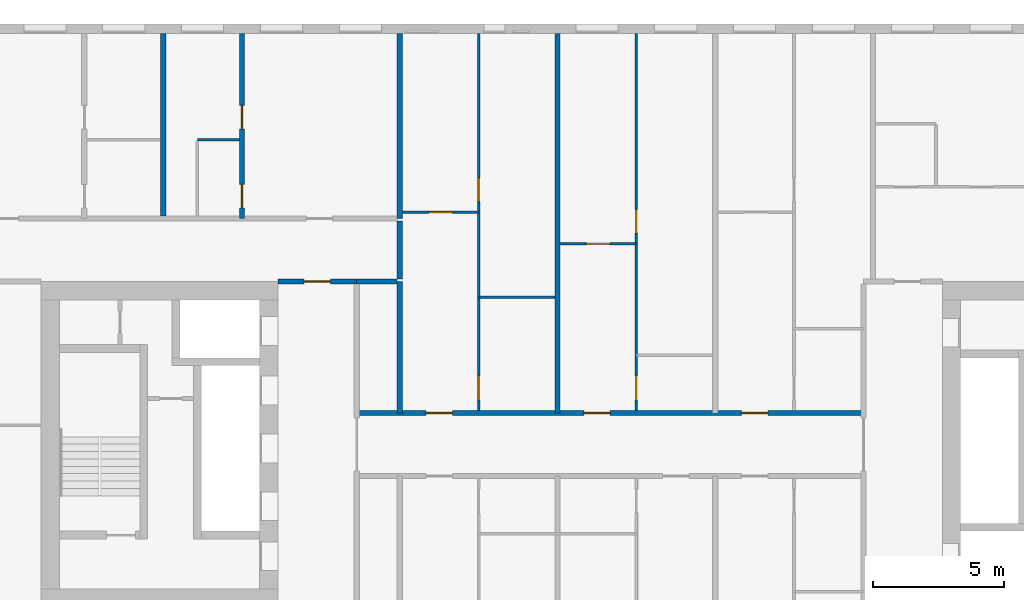
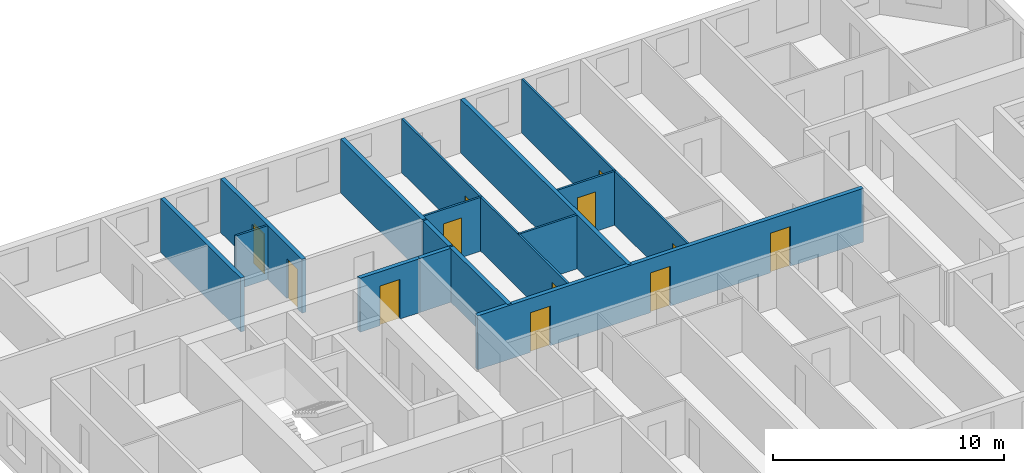
# One storey, part 5 of 16: 15 walls, 12 doors, 12 openings.
"""IFC4 building model written with IfcOpenShell, lengths in metres."""

from ifc_helpers import new_model, si_unit, direction, frame, frame_2d, origin, place, context, subcontext, project, spatial, rectangle, extrude, material, layer, layer_set, type_object, element, fill, save


model = new_model("IFC4")

# Units and contexts
model_context = context("Model", 3, precision=1e-05, world=origin(), true_north=direction((0.0, 1.0)))
body_context = subcontext(model_context, "Body", "Model", "MODEL_VIEW")
ifc_project = project(units=[si_unit("LENGTHUNIT", "METRE"), si_unit("AREAUNIT", "SQUARE_METRE"), si_unit("VOLUMEUNIT", "CUBIC_METRE"), si_unit("PLANEANGLEUNIT", "RADIAN"), si_unit("MASSUNIT", "GRAM", prefix="KILO")], contexts=[model_context])

# Site, building, storey
site_placement = place(None, origin())
site = spatial("IfcSite", under=ifc_project, at=site_placement, CompositionType="ELEMENT")
building_placement = place(site_placement, origin())
building = spatial("IfcBuilding", under=site, at=building_placement, Name="Tuart Gate Housing", CompositionType="ELEMENT")
storey_placement = place(building_placement, frame((0.0, 0.0, 87.10009765625)))
storey = spatial("IfcBuildingStorey", under=building, at=storey_placement, Name="L24", CompositionType="ELEMENT", Elevation=87.10009765625)

# Wall, openings, doors
ifc_material_1 = material(Name="Concrete masonry 15 MPa", Category="masonry")
ifc_layer_1 = layer(ifc_material_1, 0.199951171875)
ifc_layer_set_1 = layer_set([ifc_layer_1], Name="Corridor wall masonry 200")
wall_type_1 = type_object("IfcWallType", Name="Corridor wall masonry 200", PredefinedType="PARTITIONING", material=ifc_layer_set_1)
wall_1_placement = place(storey_placement, frame((44.360107421875, 71.199951171875, 0.0), z_axis=(0.0, 0.0, 1.0), x_axis=(1.0, 0.0, 0.0)))
wall_1 = element("IfcWall", 1, at=wall_1_placement, inside=storey, type_object=wall_type_1, Name="Corridor wall masonry 200", PredefinedType="PARTITIONING", context=body_context, shape_type="SweptSolid", body=[
    extrude(rectangle(XDim=19.27978515625, YDim=0.199951171875, at=frame_2d((9.639892578125, 0.0))), origin(), (0.0, 0.0, 1.0), 2.849853515625),
])
opening_1_placement = place(wall_1_placement, frame((14.639892578125, 0.0, 0.0)))
opening_1 = element("IfcOpeningElement", 2, at=opening_1_placement, cuts=wall_1, Name="Opening D976", PredefinedType="OPENING", context=body_context, shape_type="SweptSolid", body=[
    extrude(rectangle(XDim=1.0, YDim=2.10009765625, at=frame_2d((0.5, 1.050048828125))), frame((0.0, 0.10986328125, 0.0), z_axis=(0.0, -1.0, 0.0), x_axis=(1.0, 0.0, 0.0)), (0.0, 0.0, 1.0), 0.219970703125),
])
opening_2_placement = place(wall_1_placement, frame((8.639892578125, 0.0, 0.0)))
opening_2 = element("IfcOpeningElement", 3, at=opening_2_placement, cuts=wall_1, Name="Opening D977", PredefinedType="OPENING", context=body_context, shape_type="SweptSolid", body=[
    extrude(rectangle(XDim=1.0, YDim=2.10009765625, at=frame_2d((0.5, 1.050048828125))), frame((0.0, 0.10986328125, 0.0), z_axis=(0.0, -1.0, 0.0), x_axis=(1.0, 0.0, 0.0)), (0.0, 0.0, 1.0), 0.219970703125),
])
opening_3_placement = place(wall_1_placement, frame((2.639892578125, 0.0, 0.0)))
opening_3 = element("IfcOpeningElement", 4, at=opening_3_placement, cuts=wall_1, Name="Opening D978", PredefinedType="OPENING", context=body_context, shape_type="SweptSolid", body=[
    extrude(rectangle(XDim=1.0, YDim=2.10009765625, at=frame_2d((0.5, 1.050048828125))), frame((0.0, 0.10986328125, 0.0), z_axis=(0.0, -1.0, 0.0), x_axis=(1.0, 0.0, 0.0)), (0.0, 0.0, 1.0), 0.219970703125),
])
ifc_material_2 = material(Name="Timber door leaf in steel frame", Category="steel")
door_type_1 = type_object("IfcDoorType", Name="Flat entrance door 1000", OperationType="SINGLE_SWING_LEFT", PredefinedType="DOOR", material=ifc_material_2)
door_1_placement = place(opening_1_placement, origin())
door_1 = element("IfcDoor", 5, at=door_1_placement, inside=storey, type_object=door_type_1, Name="Flat entrance door", OperationType="SINGLE_SWING_LEFT", OverallHeight=2.10009765625, OverallWidth=1.0, PredefinedType="DOOR", context=body_context, shape_type="SweptSolid", body=[
    extrude(rectangle(XDim=1.0, YDim=2.10009765625, at=frame_2d((0.5, 1.050048828125))), frame((0.0, 0.02490234375, 0.0), z_axis=(0.0, -1.0, 0.0), x_axis=(1.0, 0.0, 0.0)), (0.0, 0.0, 1.0), 0.050048828125),
])
fill(opening_1, door_1)
door_2_placement = place(opening_2_placement, origin())
door_2 = element("IfcDoor", 6, at=door_2_placement, inside=storey, type_object=door_type_1, Name="Flat entrance door", OperationType="SINGLE_SWING_LEFT", OverallHeight=2.10009765625, OverallWidth=1.0, PredefinedType="DOOR", context=body_context, shape_type="SweptSolid", body=[
    extrude(rectangle(XDim=1.0, YDim=2.10009765625, at=frame_2d((0.5, 1.050048828125))), frame((0.0, 0.02490234375, 0.0), z_axis=(0.0, -1.0, 0.0), x_axis=(1.0, 0.0, 0.0)), (0.0, 0.0, 1.0), 0.050048828125),
])
fill(opening_2, door_2)
door_3_placement = place(opening_3_placement, origin())
door_3 = element("IfcDoor", 7, at=door_3_placement, inside=storey, type_object=door_type_1, Name="Flat entrance door", OperationType="SINGLE_SWING_LEFT", OverallHeight=2.10009765625, OverallWidth=1.0, PredefinedType="DOOR", context=body_context, shape_type="SweptSolid", body=[
    extrude(rectangle(XDim=1.0, YDim=2.10009765625, at=frame_2d((0.5, 1.050048828125))), frame((0.0, 0.02490234375, 0.0), z_axis=(0.0, -1.0, 0.0), x_axis=(1.0, 0.0, 0.0)), (0.0, 0.0, 1.0), 0.050048828125),
])
fill(opening_3, door_3)

# Walls
wall_2_placement = place(storey_placement, frame((44.360107421875, 76.199951171875, 0.0), z_axis=(0.0, 0.0, 1.0), x_axis=(1.0, 0.0, 0.0)))
element("IfcWall", 8, at=wall_2_placement, inside=storey, type_object=wall_type_1, Name="Corridor wall masonry 200", PredefinedType="PARTITIONING", context=body_context, shape_type="SweptSolid", body=[
    extrude(rectangle(XDim=1.539794921875, YDim=0.199951171875, at=frame_2d((0.77001953125, 0.0))), origin(), (0.0, 0.0, 1.0), 2.849853515625),
])
wall_3_placement = place(storey_placement, frame((46.0, 76.300048828125, 0.0), z_axis=(0.0, 0.0, 1.0), x_axis=(0.0, 1.0, 0.0)))
element("IfcWall", 9, at=wall_3_placement, inside=storey, type_object=wall_type_1, Name="Corridor wall masonry 200", PredefinedType="PARTITIONING", context=body_context, shape_type="SweptSolid", body=[
    extrude(rectangle(XDim=2.199951171875, YDim=0.199951171875, at=frame_2d((1.10009765625, 0.0))), origin(), (0.0, 0.0, 1.0), 2.849853515625),
])

# Wall, opening, door
ifc_material_3 = material(Name="Concrete masonry 15 MPa", Category="masonry")
ifc_layer_2 = layer(ifc_material_3, 0.199951171875)
ifc_layer_set_2 = layer_set([ifc_layer_2], Name="Enclosure wall masonry 200")
wall_type_2 = type_object("IfcWallType", Name="Enclosure wall masonry 200", PredefinedType="PARTITIONING", material=ifc_layer_set_2)
wall_4_placement = place(storey_placement, frame((41.360107421875, 76.199951171875, 0.0), z_axis=(0.0, 0.0, 1.0), x_axis=(1.0, 0.0, 0.0)))
wall_4 = element("IfcWall", 10, at=wall_4_placement, inside=storey, type_object=wall_type_2, Name="Enclosure wall masonry 200", PredefinedType="PARTITIONING", context=body_context, shape_type="SweptSolid", body=[
    extrude(rectangle(XDim=3.0, YDim=0.199951171875, at=frame_2d((1.5, 0.0))), origin(), (0.0, 0.0, 1.0), 2.849853515625),
])
opening_4_placement = place(wall_4_placement, frame((1.0, 0.0, 0.0)))
opening_4 = element("IfcOpeningElement", 11, at=opening_4_placement, cuts=wall_4, Name="Opening D971", PredefinedType="OPENING", context=body_context, shape_type="SweptSolid", body=[
    extrude(rectangle(XDim=1.0, YDim=2.10009765625, at=frame_2d((0.5, 1.050048828125))), frame((0.0, 0.10986328125, 0.0), z_axis=(0.0, -1.0, 0.0), x_axis=(1.0, 0.0, 0.0)), (0.0, 0.0, 1.0), 0.219970703125),
])
ifc_material_4 = material(Name="Timber door leaf in steel frame", Category="steel")
door_type_2 = type_object("IfcDoorType", Name="Fire door 1000 RH", OperationType="SINGLE_SWING_RIGHT", PredefinedType="DOOR", material=ifc_material_4)
door_4_placement = place(opening_4_placement, origin())
door_4 = element("IfcDoor", 12, at=door_4_placement, inside=storey, type_object=door_type_2, Name="Fire door", OperationType="SINGLE_SWING_RIGHT", OverallHeight=2.10009765625, OverallWidth=1.0, PredefinedType="DOOR", context=body_context, shape_type="SweptSolid", body=[
    extrude(rectangle(XDim=1.0, YDim=2.10009765625, at=frame_2d((0.5, 1.050048828125))), frame((0.0, 0.02490234375, 0.0), z_axis=(0.0, -1.0, 0.0), x_axis=(1.0, 0.0, 0.0)), (0.0, 0.0, 1.0), 0.050048828125),
])
fill(opening_4, door_4)

# Wall
ifc_material_5 = material(Name="Gypsum board on steel studs", Category="steel")
ifc_layer_3 = layer(ifc_material_5, 0.10009765625)
ifc_layer_set_3 = layer_set([ifc_layer_3], Name="Partition 100")
wall_type_3 = type_object("IfcWallType", Name="Partition 100", PredefinedType="PARTITIONING", material=ifc_layer_set_3)
wall_5_placement = place(storey_placement, frame((49.0, 75.60009765625, 0.0), z_axis=(0.0, 0.0, 1.0), x_axis=(1.0, 0.0, 0.0)))
element("IfcWall", 13, at=wall_5_placement, inside=storey, type_object=wall_type_3, Name="Partition 100", PredefinedType="PARTITIONING", context=body_context, shape_type="SweptSolid", body=[
    extrude(rectangle(XDim=2.89990234375, YDim=0.10009765625, at=frame_2d((1.449951171875, 0.0))), origin(), (0.0, 0.0, 1.0), 2.849853515625),
])

# Wall, opening, door
wall_6_placement = place(storey_placement, frame((52.10009765625, 77.639892578125, 0.0), z_axis=(0.0, 0.0, 1.0), x_axis=(1.0, 0.0, 0.0)))
wall_6 = element("IfcWall", 14, at=wall_6_placement, inside=storey, type_object=wall_type_3, Name="Partition 100", PredefinedType="PARTITIONING", context=body_context, shape_type="SweptSolid", body=[
    extrude(rectangle(XDim=2.89990234375, YDim=0.10009765625, at=frame_2d((1.449951171875, 0.0))), origin(), (0.0, 0.0, 1.0), 2.849853515625),
])
opening_5_placement = place(wall_6_placement, frame((1.0, 0.0, 0.0)))
opening_5 = element("IfcOpeningElement", 15, at=opening_5_placement, cuts=wall_6, Name="Opening D969", PredefinedType="OPENING", context=body_context, shape_type="SweptSolid", body=[
    extrude(rectangle(XDim=0.89990234375, YDim=2.10009765625, at=frame_2d((0.449951171875, 1.050048828125))), frame((0.0, 0.06005859375, 0.0), z_axis=(0.0, -1.0, 0.0), x_axis=(1.0, 0.0, 0.0)), (0.0, 0.0, 1.0), 0.1201171875),
])
ifc_material_6 = material(Name="Timber door leaf in steel frame", Category="steel")
door_type_3 = type_object("IfcDoorType", Name="Internal door 900", OperationType="SINGLE_SWING_LEFT", PredefinedType="DOOR", material=ifc_material_6)
door_5_placement = place(opening_5_placement, frame((0.89990234375, 0.0, 0.0), z_axis=(0.0, 0.0, 1.0), x_axis=(-1.0, 0.0, 0.0)))
door_5 = element("IfcDoor", 16, at=door_5_placement, inside=storey, type_object=door_type_3, Name="Internal door", OperationType="SINGLE_SWING_LEFT", OverallHeight=2.10009765625, OverallWidth=0.89990234375, PredefinedType="DOOR", context=body_context, shape_type="SweptSolid", body=[
    extrude(rectangle(XDim=0.89990234375, YDim=2.10009765625, at=frame_2d((0.449951171875, 1.050048828125))), frame((0.0, 0.025146484375, 0.0), z_axis=(0.0, -1.0, 0.0), x_axis=(1.0, 0.0, 0.0)), (0.0, 0.0, 1.0), 0.050048828125),
])
fill(opening_5, door_5)

wall_7_placement = place(storey_placement, frame((46.10009765625, 78.840087890625, 0.0), z_axis=(0.0, 0.0, 1.0), x_axis=(1.0, 0.0, 0.0)))
wall_7 = element("IfcWall", 17, at=wall_7_placement, inside=storey, type_object=wall_type_3, Name="Partition 100", PredefinedType="PARTITIONING", context=body_context, shape_type="SweptSolid", body=[
    extrude(rectangle(XDim=2.89990234375, YDim=0.10009765625, at=frame_2d((1.449951171875, 0.0))), origin(), (0.0, 0.0, 1.0), 2.849853515625),
])
opening_6_placement = place(wall_7_placement, frame((1.0, 0.0, 0.0)))
opening_6 = element("IfcOpeningElement", 18, at=opening_6_placement, cuts=wall_7, Name="Opening D959", PredefinedType="OPENING", context=body_context, shape_type="SweptSolid", body=[
    extrude(rectangle(XDim=0.89990234375, YDim=2.10009765625, at=frame_2d((0.449951171875, 1.050048828125))), frame((0.0, 0.06005859375, 0.0), z_axis=(0.0, -1.0, 0.0), x_axis=(1.0, 0.0, 0.0)), (0.0, 0.0, 1.0), 0.1201171875),
])
door_6_placement = place(opening_6_placement, frame((0.89990234375, 0.0, 0.0), z_axis=(0.0, 0.0, 1.0), x_axis=(-1.0, 0.0, 0.0)))
door_6 = element("IfcDoor", 19, at=door_6_placement, inside=storey, type_object=door_type_3, Name="Internal door", OperationType="SINGLE_SWING_LEFT", OverallHeight=2.10009765625, OverallWidth=0.89990234375, PredefinedType="DOOR", context=body_context, shape_type="SweptSolid", body=[
    extrude(rectangle(XDim=0.89990234375, YDim=2.10009765625, at=frame_2d((0.449951171875, 1.050048828125))), frame((0.0, 0.025146484375, 0.0), z_axis=(0.0, -1.0, 0.0), x_axis=(1.0, 0.0, 0.0)), (0.0, 0.0, 1.0), 0.050048828125),
])
fill(opening_6, door_6)

# Wall
wall_8_placement = place(storey_placement, frame((38.300048828125, 81.60009765625, 0.0), z_axis=(0.0, 0.0, 1.0), x_axis=(1.0, 0.0, 0.0)))
element("IfcWall", 20, at=wall_8_placement, inside=storey, type_object=wall_type_3, Name="Partition 100", PredefinedType="PARTITIONING", context=body_context, shape_type="SweptSolid", body=[
    extrude(rectangle(XDim=1.599853515625, YDim=0.10009765625, at=frame_2d((0.7998046875, 0.0))), origin(), (0.0, 0.0, 1.0), 2.849853515625),
])

# Wall, openings, doors
wall_9_placement = place(storey_placement, frame((49.0, 71.300048828125, 0.0), z_axis=(0.0, 0.0, 1.0), x_axis=(0.0, 1.0, 0.0)))
wall_9 = element("IfcWall", 21, at=wall_9_placement, inside=storey, type_object=wall_type_3, Name="Partition 100", PredefinedType="PARTITIONING", context=body_context, shape_type="SweptSolid", body=[
    extrude(rectangle(XDim=14.33984375, YDim=0.10009765625, at=frame_2d((7.169921875, 0.0))), origin(), (0.0, 0.0, 1.0), 2.849853515625),
])
opening_7_placement = place(wall_9_placement, frame((7.93994140625, 0.0, 0.0)))
opening_7 = element("IfcOpeningElement", 22, at=opening_7_placement, cuts=wall_9, Name="Opening D964", PredefinedType="OPENING", context=body_context, shape_type="SweptSolid", body=[
    extrude(rectangle(XDim=0.89990234375, YDim=2.10009765625, at=frame_2d((0.449951171875, 1.050048828125))), frame((0.0, 0.06005859375, 0.0), z_axis=(0.0, -1.0, 0.0), x_axis=(1.0, 0.0, 0.0)), (0.0, 0.0, 1.0), 0.1201171875),
])
opening_8_placement = place(wall_9_placement, frame((0.39990234375, 0.0, 0.0)))
opening_8 = element("IfcOpeningElement", 23, at=opening_8_placement, cuts=wall_9, Name="Opening D963", PredefinedType="OPENING", context=body_context, shape_type="SweptSolid", body=[
    extrude(rectangle(XDim=0.89990234375, YDim=2.10009765625, at=frame_2d((0.449951171875, 1.050048828125))), frame((0.0, 0.06005859375, 0.0), z_axis=(0.0, -1.0, 0.0), x_axis=(1.0, 0.0, 0.0)), (0.0, 0.0, 1.0), 0.1201171875),
])
ifc_material_7 = material(Name="Timber door leaf in steel frame", Category="steel")
door_type_4 = type_object("IfcDoorType", Name="Bathroom door 900 RH", OperationType="SINGLE_SWING_RIGHT", PredefinedType="DOOR", material=ifc_material_7)
door_7_placement = place(opening_8_placement, frame((0.89990234375, 0.0, 0.0), z_axis=(0.0, 0.0, 1.0), x_axis=(-1.0, 0.0, 0.0)))
door_7 = element("IfcDoor", 24, at=door_7_placement, inside=storey, type_object=door_type_4, Name="Bathroom door", OperationType="SINGLE_SWING_RIGHT", OverallHeight=2.10009765625, OverallWidth=0.89990234375, PredefinedType="DOOR", context=body_context, shape_type="SweptSolid", body=[
    extrude(rectangle(XDim=0.89990234375, YDim=2.10009765625, at=frame_2d((0.449951171875, 1.050048828125))), frame((0.0, 0.025146484375, 0.0), z_axis=(0.0, -1.0, 0.0), x_axis=(1.0, 0.0, 0.0)), (0.0, 0.0, 1.0), 0.050048828125),
])
fill(opening_8, door_7)
ifc_material_8 = material(Name="Timber door leaf in steel frame", Category="steel")
door_type_5 = type_object("IfcDoorType", Name="Internal door 900 RH", OperationType="SINGLE_SWING_RIGHT", PredefinedType="DOOR", material=ifc_material_8)
door_8_placement = place(opening_7_placement, frame((0.89990234375, 0.0, 0.0), z_axis=(0.0, 0.0, 1.0), x_axis=(-1.0, 0.0, 0.0)))
door_8 = element("IfcDoor", 25, at=door_8_placement, inside=storey, type_object=door_type_5, Name="Internal door", OperationType="SINGLE_SWING_RIGHT", OverallHeight=2.10009765625, OverallWidth=0.89990234375, PredefinedType="DOOR", context=body_context, shape_type="SweptSolid", body=[
    extrude(rectangle(XDim=0.89990234375, YDim=2.10009765625, at=frame_2d((0.449951171875, 1.050048828125))), frame((0.0, 0.025146484375, 0.0), z_axis=(0.0, -1.0, 0.0), x_axis=(1.0, 0.0, 0.0)), (0.0, 0.0, 1.0), 0.050048828125),
])
fill(opening_7, door_8)

wall_10_placement = place(storey_placement, frame((55.0, 71.300048828125, 0.0), z_axis=(0.0, 0.0, 1.0), x_axis=(0.0, 1.0, 0.0)))
wall_10 = element("IfcWall", 26, at=wall_10_placement, inside=storey, type_object=wall_type_3, Name="Partition 100", PredefinedType="PARTITIONING", context=body_context, shape_type="SweptSolid", body=[
    extrude(rectangle(XDim=14.33984375, YDim=0.10009765625, at=frame_2d((7.169921875, 0.0))), origin(), (0.0, 0.0, 1.0), 2.849853515625),
])
opening_9_placement = place(wall_10_placement, frame((6.739990234375, 0.0, 0.0)))
opening_9 = element("IfcOpeningElement", 27, at=opening_9_placement, cuts=wall_10, Name="Opening D966", PredefinedType="OPENING", context=body_context, shape_type="SweptSolid", body=[
    extrude(rectangle(XDim=0.89990234375, YDim=2.10009765625, at=frame_2d((0.449951171875, 1.050048828125))), frame((0.0, 0.06005859375, 0.0), z_axis=(0.0, -1.0, 0.0), x_axis=(1.0, 0.0, 0.0)), (0.0, 0.0, 1.0), 0.1201171875),
])
opening_10_placement = place(wall_10_placement, frame((0.39990234375, 0.0, 0.0)))
opening_10 = element("IfcOpeningElement", 28, at=opening_10_placement, cuts=wall_10, Name="Opening D965", PredefinedType="OPENING", context=body_context, shape_type="SweptSolid", body=[
    extrude(rectangle(XDim=0.89990234375, YDim=2.10009765625, at=frame_2d((0.449951171875, 1.050048828125))), frame((0.0, 0.06005859375, 0.0), z_axis=(0.0, -1.0, 0.0), x_axis=(1.0, 0.0, 0.0)), (0.0, 0.0, 1.0), 0.1201171875),
])
door_9_placement = place(opening_10_placement, frame((0.89990234375, 0.0, 0.0), z_axis=(0.0, 0.0, 1.0), x_axis=(-1.0, 0.0, 0.0)))
door_9 = element("IfcDoor", 29, at=door_9_placement, inside=storey, type_object=door_type_4, Name="Bathroom door", OperationType="SINGLE_SWING_RIGHT", OverallHeight=2.10009765625, OverallWidth=0.89990234375, PredefinedType="DOOR", context=body_context, shape_type="SweptSolid", body=[
    extrude(rectangle(XDim=0.89990234375, YDim=2.10009765625, at=frame_2d((0.449951171875, 1.050048828125))), frame((0.0, 0.025146484375, 0.0), z_axis=(0.0, -1.0, 0.0), x_axis=(1.0, 0.0, 0.0)), (0.0, 0.0, 1.0), 0.050048828125),
])
fill(opening_10, door_9)
door_10_placement = place(opening_9_placement, frame((0.89990234375, 0.0, 0.0), z_axis=(0.0, 0.0, 1.0), x_axis=(-1.0, 0.0, 0.0)))
door_10 = element("IfcDoor", 30, at=door_10_placement, inside=storey, type_object=door_type_5, Name="Internal door", OperationType="SINGLE_SWING_RIGHT", OverallHeight=2.10009765625, OverallWidth=0.89990234375, PredefinedType="DOOR", context=body_context, shape_type="SweptSolid", body=[
    extrude(rectangle(XDim=0.89990234375, YDim=2.10009765625, at=frame_2d((0.449951171875, 1.050048828125))), frame((0.0, 0.025146484375, 0.0), z_axis=(0.0, -1.0, 0.0), x_axis=(1.0, 0.0, 0.0)), (0.0, 0.0, 1.0), 0.050048828125),
])
fill(opening_9, door_10)

ifc_material_9 = material(Name="Concrete C40", Category="concrete")
ifc_layer_4 = layer(ifc_material_9, 0.199951171875)
ifc_layer_set_4 = layer_set([ifc_layer_4], Name="Party wall concrete C40 200")
wall_type_4 = type_object("IfcWallType", Name="Party wall concrete C40 200", PredefinedType="SOLIDWALL", material=ifc_layer_set_4)
wall_11_placement = place(storey_placement, frame((40.0, 78.60009765625, 0.0), z_axis=(0.0, 0.0, 1.0), x_axis=(0.0, 1.0, 0.0)))
wall_11 = element("IfcWall", 31, at=wall_11_placement, inside=storey, type_object=wall_type_4, Name="Party wall concrete C40 200", PredefinedType="SOLIDWALL", context=body_context, shape_type="SweptSolid", body=[
    extrude(rectangle(XDim=7.039794921875, YDim=0.199951171875, at=frame_2d((3.52001953125, 0.0))), origin(), (0.0, 0.0, 1.0), 2.849853515625),
])
opening_11_placement = place(wall_11_placement, frame((3.39990234375, 0.0, 0.0)))
opening_11 = element("IfcOpeningElement", 32, at=opening_11_placement, cuts=wall_11, Name="Opening D954", PredefinedType="OPENING", context=body_context, shape_type="SweptSolid", body=[
    extrude(rectangle(XDim=0.89990234375, YDim=2.10009765625, at=frame_2d((0.449951171875, 1.050048828125))), frame((0.0, 0.10986328125, 0.0), z_axis=(0.0, -1.0, 0.0), x_axis=(1.0, 0.0, 0.0)), (0.0, 0.0, 1.0), 0.219970703125),
])
opening_12_placement = place(wall_11_placement, frame((0.39990234375, 0.0, 0.0)))
opening_12 = element("IfcOpeningElement", 33, at=opening_12_placement, cuts=wall_11, Name="Opening D953", PredefinedType="OPENING", context=body_context, shape_type="SweptSolid", body=[
    extrude(rectangle(XDim=0.89990234375, YDim=2.10009765625, at=frame_2d((0.449951171875, 1.050048828125))), frame((0.0, 0.10986328125, 0.0), z_axis=(0.0, -1.0, 0.0), x_axis=(1.0, 0.0, 0.0)), (0.0, 0.0, 1.0), 0.219970703125),
])
ifc_material_10 = material(Name="Timber door leaf in steel frame", Category="steel")
door_type_6 = type_object("IfcDoorType", Name="Bathroom door 900", OperationType="SINGLE_SWING_LEFT", PredefinedType="DOOR", material=ifc_material_10)
door_11_placement = place(opening_12_placement, origin())
door_11 = element("IfcDoor", 34, at=door_11_placement, inside=storey, type_object=door_type_6, Name="Bathroom door", OperationType="SINGLE_SWING_LEFT", OverallHeight=2.10009765625, OverallWidth=0.89990234375, PredefinedType="DOOR", context=body_context, shape_type="SweptSolid", body=[
    extrude(rectangle(XDim=0.89990234375, YDim=2.10009765625, at=frame_2d((0.449951171875, 1.050048828125))), frame((0.0, 0.02490234375, 0.0), z_axis=(0.0, -1.0, 0.0), x_axis=(1.0, 0.0, 0.0)), (0.0, 0.0, 1.0), 0.050048828125),
])
fill(opening_12, door_11)
door_12_placement = place(opening_11_placement, origin())
door_12 = element("IfcDoor", 35, at=door_12_placement, inside=storey, type_object=door_type_3, Name="Internal door", OperationType="SINGLE_SWING_LEFT", OverallHeight=2.10009765625, OverallWidth=0.89990234375, PredefinedType="DOOR", context=body_context, shape_type="SweptSolid", body=[
    extrude(rectangle(XDim=0.89990234375, YDim=2.10009765625, at=frame_2d((0.449951171875, 1.050048828125))), frame((0.0, 0.02490234375, 0.0), z_axis=(0.0, -1.0, 0.0), x_axis=(1.0, 0.0, 0.0)), (0.0, 0.0, 1.0), 0.050048828125),
])
fill(opening_11, door_12)

# Walls
wall_12_placement = place(storey_placement, frame((46.0, 71.199951171875, 0.0), z_axis=(0.0, 0.0, 1.0), x_axis=(0.0, 1.0, 0.0)))
element("IfcWall", 36, at=wall_12_placement, inside=storey, type_object=wall_type_4, Name="Party wall concrete C40 200", PredefinedType="SOLIDWALL", context=body_context, shape_type="SweptSolid", body=[
    extrude(rectangle(XDim=5.0, YDim=0.199951171875, at=frame_2d((2.5, 0.0))), origin(), (0.0, 0.0, 1.0), 2.849853515625),
])
wall_13_placement = place(storey_placement, frame((46.0, 78.60009765625, 0.0), z_axis=(0.0, 0.0, 1.0), x_axis=(0.0, 1.0, 0.0)))
element("IfcWall", 37, at=wall_13_placement, inside=storey, type_object=wall_type_4, Name="Party wall concrete C40 200", PredefinedType="SOLIDWALL", context=body_context, shape_type="SweptSolid", body=[
    extrude(rectangle(XDim=7.039794921875, YDim=0.199951171875, at=frame_2d((3.52001953125, 0.0))), origin(), (0.0, 0.0, 1.0), 2.849853515625),
])
wall_14_placement = place(storey_placement, frame((52.0, 71.199951171875, 0.0), z_axis=(0.0, 0.0, 1.0), x_axis=(0.0, 1.0, 0.0)))
element("IfcWall", 38, at=wall_14_placement, inside=storey, type_object=wall_type_4, Name="Party wall concrete C40 200", PredefinedType="SOLIDWALL", context=body_context, shape_type="SweptSolid", body=[
    extrude(rectangle(XDim=14.43994140625, YDim=0.199951171875, at=frame_2d((7.219970703125, 0.0))), origin(), (0.0, 0.0, 1.0), 2.849853515625),
])
ifc_material_11 = material(Name="Concrete masonry 15 MPa", Category="masonry")
ifc_layer_5 = layer(ifc_material_11, 0.199951171875)
ifc_layer_set_5 = layer_set([ifc_layer_5], Name="Party wall masonry 200")
wall_type_5 = type_object("IfcWallType", Name="Party wall masonry 200", PredefinedType="PARTITIONING", material=ifc_layer_set_5)
wall_15_placement = place(storey_placement, frame((37.0, 78.699951171875, 0.0), z_axis=(0.0, 0.0, 1.0), x_axis=(0.0, 1.0, 0.0)))
element("IfcWall", 39, at=wall_15_placement, inside=storey, type_object=wall_type_5, Name="Party wall masonry 200", PredefinedType="PARTITIONING", context=body_context, shape_type="SweptSolid", body=[
    extrude(rectangle(XDim=6.93994140625, YDim=0.199951171875, at=frame_2d((3.469970703125, 0.0))), origin(), (0.0, 0.0, 1.0), 2.849853515625),
])

save(model, "model.ifc")
